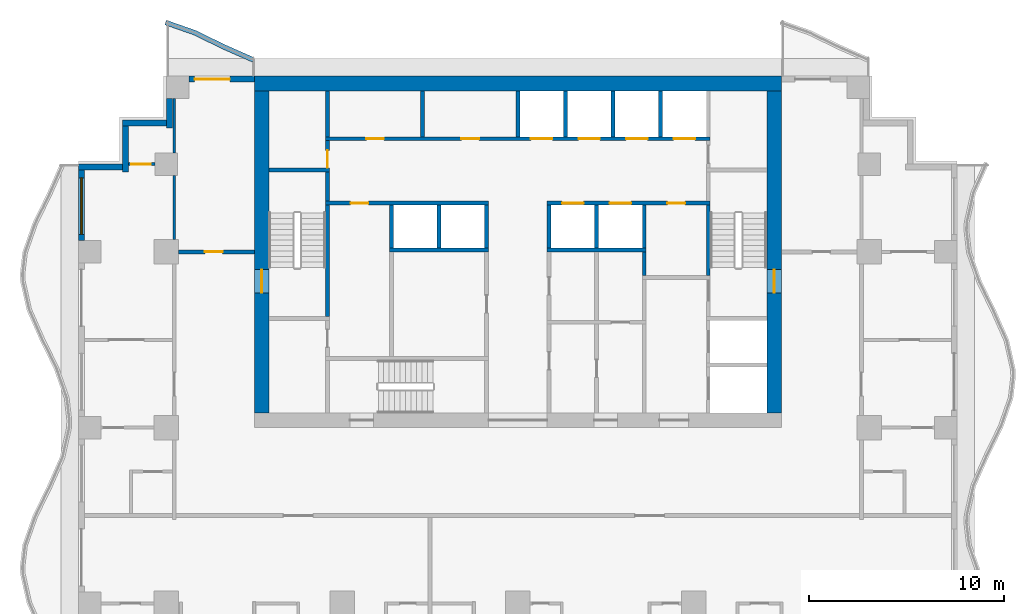
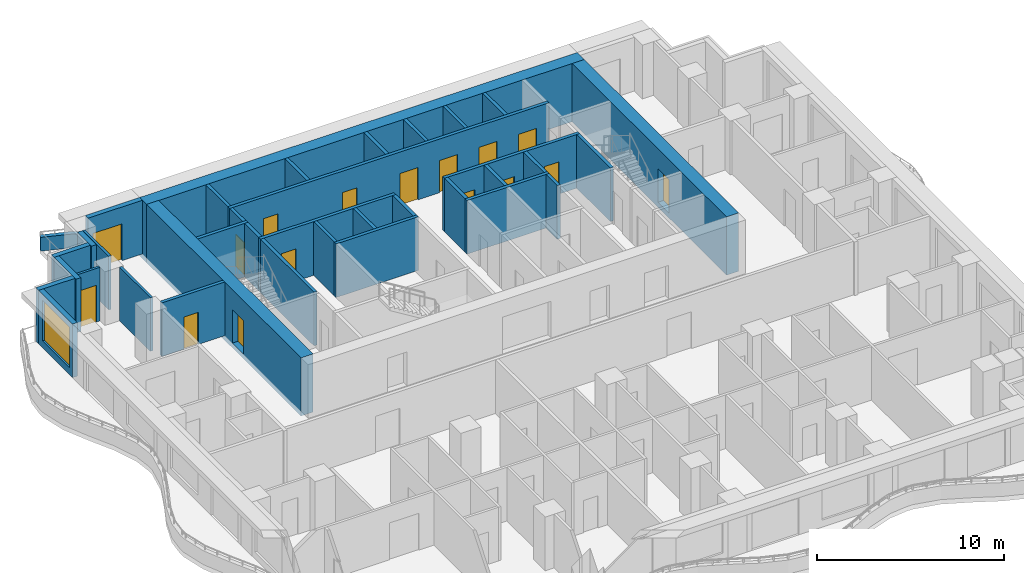
# One storey, part 5 of 10: 37 walls, 16 doors, 1 window, 17 openings.
"""IFC4 building model written with IfcOpenShell, lengths in metres."""

from ifc_helpers import new_model, si_unit, direction, frame, frame_2d, origin, place, context, subcontext, project, spatial, polyline, rectangle, outline, extrude, material, layer, layer_set, type_object, element, fill, save


model = new_model("IFC4")

# Units and contexts
model_context = context("Model", 3, precision=1e-05, world=origin(), true_north=direction((0.0, 1.0)))
body_context = subcontext(model_context, "Body", "Model", "MODEL_VIEW")
ifc_project = project(units=[si_unit("LENGTHUNIT", "METRE"), si_unit("AREAUNIT", "SQUARE_METRE"), si_unit("VOLUMEUNIT", "CUBIC_METRE"), si_unit("PLANEANGLEUNIT", "RADIAN"), si_unit("MASSUNIT", "GRAM", prefix="KILO")], contexts=[model_context])

# Site, building, storey
site_placement = place(None, origin())
site = spatial("IfcSite", under=ifc_project, at=site_placement, CompositionType="ELEMENT")
building_placement = place(site_placement, origin())
building = spatial("IfcBuilding", under=site, at=building_placement, Name="Orbiselva Terraces", CompositionType="ELEMENT")
storey_placement = place(building_placement, frame((0.0, 0.0, 140.2)))
storey = spatial("IfcBuildingStorey", under=building, at=storey_placement, Name="L35", CompositionType="ELEMENT", Elevation=140.2)

# Wall, opening, door
ifc_material_1 = material(Name="Concrete C80/95", Category="concrete")
ifc_layer_1 = layer(ifc_material_1, 0.75)
ifc_layer_set_1 = layer_set([ifc_layer_1], Name="Concrete C80/95")
wall_type_1 = type_object("IfcWallType", Name="CORE WALL 750", PredefinedType="SHEAR", material=ifc_layer_set_1)
wall_1_placement = place(storey_placement, frame((13.125, 5.25, -0.3), z_axis=(0.0, 0.0, 1.0), x_axis=(0.0, 1.0, 0.0)))
wall_1 = element("IfcWall", 1, at=wall_1_placement, inside=storey, type_object=wall_type_1, Name="Core wall L35 east", PredefinedType="SHEAR", context=body_context, shape_type="SweptSolid", body=[
    extrude(rectangle(XDim=16.5, YDim=0.75, at=frame_2d((8.25, 0.0))), origin(), (0.0, 0.0, 1.0), 3.8),
])
opening_1_placement = place(wall_1_placement, frame((6.15, 0.0, 0.3)))
opening_1 = element("IfcOpeningElement", 2, at=opening_1_placement, cuts=wall_1, Name="Opening DS1200", PredefinedType="OPENING", context=body_context, shape_type="SweptSolid", body=[
    extrude(rectangle(XDim=1.2, YDim=2.2, at=frame_2d((0.6, 1.1))), frame((0.0, 0.385, 0.0), z_axis=(0.0, -1.0, 0.0), x_axis=(1.0, 0.0, 0.0)), (0.0, 0.0, 1.0), 0.77),
])
ifc_material_2 = material(Name="Steel fire door", Category="steel")
door_type_1 = type_object("IfcDoorType", Name="STAIR DOOR 1200", OperationType="NOTDEFINED", PredefinedType="DOOR", material=ifc_material_2)
door_1_placement = place(opening_1_placement, frame((1.2, 0.0, 0.0), z_axis=(0.0, 0.0, 1.0), x_axis=(-1.0, 0.0, 0.0)))
door_1 = element("IfcDoor", 3, at=door_1_placement, inside=storey, type_object=door_type_1, Name="L35 EXIT STAIR S2 door", OperationType="SINGLE_SWING_LEFT", OverallHeight=2.2, OverallWidth=1.2, PredefinedType="DOOR", context=body_context, shape_type="SweptSolid", body=[
    extrude(rectangle(XDim=1.2, YDim=2.2, at=frame_2d((0.6, 1.1))), frame((0.0, 0.025, 0.0), z_axis=(0.0, -1.0, 0.0), x_axis=(1.0, 0.0, 0.0)), (0.0, 0.0, 1.0), 0.05),
])
fill(opening_1, door_1)

wall_2_placement = place(storey_placement, frame((-13.125, 21.75, -0.3), z_axis=(0.0, 0.0, 1.0), x_axis=(0.0, -1.0, 0.0)))
wall_2 = element("IfcWall", 4, at=wall_2_placement, inside=storey, type_object=wall_type_1, Name="Core wall L35 west", PredefinedType="SHEAR", context=body_context, shape_type="SweptSolid", body=[
    extrude(rectangle(XDim=16.5, YDim=0.75, at=frame_2d((8.25, 0.0))), origin(), (0.0, 0.0, 1.0), 3.8),
])
opening_2_placement = place(wall_2_placement, frame((9.15, 0.0, 0.3)))
opening_2 = element("IfcOpeningElement", 5, at=opening_2_placement, cuts=wall_2, Name="Opening DS1200", PredefinedType="OPENING", context=body_context, shape_type="SweptSolid", body=[
    extrude(rectangle(XDim=1.2, YDim=2.2, at=frame_2d((0.6, 1.1))), frame((0.0, 0.385, 0.0), z_axis=(0.0, -1.0, 0.0), x_axis=(1.0, 0.0, 0.0)), (0.0, 0.0, 1.0), 0.77),
])
door_2_placement = place(opening_2_placement, frame((1.2, 0.0, 0.0), z_axis=(0.0, 0.0, 1.0), x_axis=(-1.0, 0.0, 0.0)))
door_2 = element("IfcDoor", 6, at=door_2_placement, inside=storey, type_object=door_type_1, Name="L35 EXIT STAIR S1 door", OperationType="SINGLE_SWING_RIGHT", OverallHeight=2.2, OverallWidth=1.2, PredefinedType="DOOR", context=body_context, shape_type="SweptSolid", body=[
    extrude(rectangle(XDim=1.2, YDim=2.2, at=frame_2d((0.6, 1.1))), frame((0.0, 0.025, 0.0), z_axis=(0.0, -1.0, 0.0), x_axis=(1.0, 0.0, 0.0)), (0.0, 0.0, 1.0), 0.05),
])
fill(opening_2, door_2)

# Wall
ifc_layer_2 = layer(ifc_material_1, 0.75)
ifc_layer_set_2 = layer_set([ifc_layer_2], Name="Concrete C80/95")
wall_type_2 = type_object("IfcWallType", Name="CORE WALL 750 EXTERNAL", PredefinedType="SHEAR", material=ifc_layer_set_2)
wall_3_placement = place(storey_placement, frame((13.5, 22.125, -0.3), z_axis=(0.0, 0.0, 1.0), x_axis=(-1.0, 0.0, 0.0)))
element("IfcWall", 7, at=wall_3_placement, inside=storey, type_object=wall_type_2, Name="Core wall L35 north", PredefinedType="SHEAR", context=body_context, shape_type="SweptSolid", body=[
    extrude(rectangle(XDim=27.0, YDim=0.75, at=frame_2d((13.5, 0.0))), origin(), (0.0, 0.0, 1.0), 3.8),
])

# Wall, opening, door
ifc_material_3 = material(Name="Masonry blockwork", Category="masonry")
ifc_layer_3 = layer(ifc_material_3, 0.2)
ifc_layer_set_3 = layer_set([ifc_layer_3], Name="Masonry blockwork")
wall_type_3 = type_object("IfcWallType", Name="CORE-WALL-PARTITION-200", PredefinedType="PARTITIONING", material=ifc_layer_set_3)
wall_4_placement = place(storey_placement, frame((-9.75, 17.8, 0.0), z_axis=(0.0, 0.0, 1.0), x_axis=(0.0, 1.0, 0.0)))
wall_4 = element("IfcWall", 8, at=wall_4_placement, inside=storey, type_object=wall_type_3, Name="L35 core wall 09", PredefinedType="PARTITIONING", context=body_context, shape_type="SweptSolid", body=[
    extrude(rectangle(XDim=1.4, YDim=0.2, at=frame_2d((0.7, 0.0))), origin(), (0.0, 0.0, 1.0), 3.5),
])
opening_3_placement = place(wall_4_placement, origin())
opening_3 = element("IfcOpeningElement", 9, at=opening_3_placement, cuts=wall_4, Name="Opening DR900", PredefinedType="OPENING", context=body_context, shape_type="SweptSolid", body=[
    extrude(rectangle(XDim=0.9, YDim=2.1, at=frame_2d((0.45, 1.05))), frame((0.0, 0.11, 0.0), z_axis=(0.0, -1.0, 0.0), x_axis=(1.0, 0.0, 0.0)), (0.0, 0.0, 1.0), 0.22),
])
door_type_2 = type_object("IfcDoorType", Name="ROOM DOOR 900", OperationType="NOTDEFINED", PredefinedType="DOOR", material=ifc_material_2)
door_3_placement = place(opening_3_placement, origin())
door_3 = element("IfcDoor", 10, at=door_3_placement, inside=storey, type_object=door_type_2, Name="L35 COMMS RISER ROOM door", OperationType="SINGLE_SWING_LEFT", OverallHeight=2.1, OverallWidth=0.9, PredefinedType="DOOR", context=body_context, shape_type="SweptSolid", body=[
    extrude(rectangle(XDim=0.9, YDim=2.1, at=frame_2d((0.45, 1.05))), frame((0.0, 0.025, 0.0), z_axis=(0.0, -1.0, 0.0), x_axis=(1.0, 0.0, 0.0)), (0.0, 0.0, 1.0), 0.05),
])
fill(opening_3, door_3)

# Walls
for number, where, z_axis, x_axis, name in (
    (11, (-9.75, 19.4, 0.0), (0.0, 0.0, 1.0), (0.0, 1.0, 0.0), "L35 core wall 11"),
    (12, (-4.875, 19.4, 0.0), (0.0, 0.0, 1.0), (0.0, 1.0, 0.0), "L35 core wall 15"),
):
    element("IfcWall", number, at=place(storey_placement, frame(where, z_axis=z_axis, x_axis=x_axis)), inside=storey, type_object=wall_type_3, Name=name, PredefinedType="PARTITIONING", context=body_context, shape_type="SweptSolid", body=[
        extrude(rectangle(XDim=2.35, YDim=0.2, at=frame_2d((1.175, 0.0))), origin(), (0.0, 0.0, 1.0), 3.5),
    ])
wall_5_placement = place(storey_placement, frame((6.475, 12.3, 0.0), z_axis=(0.0, 0.0, 1.0), x_axis=(0.0, 1.0, 0.0)))
element("IfcWall", 13, at=wall_5_placement, inside=storey, type_object=wall_type_3, Name="L35 core wall 35", PredefinedType="PARTITIONING", context=body_context, shape_type="SweptSolid", body=[
    extrude(rectangle(XDim=1.2, YDim=0.2, at=frame_2d((0.6, 0.0))), origin(), (0.0, 0.0, 1.0), 3.5),
])
ifc_material_4 = material(Name="Concrete C40/50", Category="concrete")
ifc_layer_4 = layer(ifc_material_4, 0.2)
ifc_layer_set_4 = layer_set([ifc_layer_4], Name="Concrete C40/50")
wall_type_4 = type_object("IfcWallType", Name="CORE-WALL-SHAFT-200", PredefinedType="PARTITIONING", material=ifc_layer_set_4)
for number, where, z_axis, x_axis, name in (
    (14, (-6.475, 13.7, 0.0), (0.0, 0.0, 1.0), (0.0, 1.0, 0.0), "L35 core wall 14"),
    (15, (-4.0375, 13.7, 0.0), (0.0, 0.0, 1.0), (0.0, 1.0, 0.0), "L35 core wall 16"),
    (16, (-1.6, 13.7, 0.0), (0.0, 0.0, 1.0), (0.0, 1.0, 0.0), "L35 core wall 19"),
):
    element("IfcWall", number, at=place(storey_placement, frame(where, z_axis=z_axis, x_axis=x_axis)), inside=storey, type_object=wall_type_4, Name=name, PredefinedType="PARTITIONING", context=body_context, shape_type="SweptSolid", body=[
        extrude(rectangle(XDim=2.2, YDim=0.2, at=frame_2d((1.1, 0.0))), origin(), (0.0, 0.0, 1.0), 3.5),
    ])
wall_6_placement = place(storey_placement, frame((0.0, 19.4, 0.0), z_axis=(0.0, 0.0, 1.0), x_axis=(0.0, 1.0, 0.0)))
element("IfcWall", 17, at=wall_6_placement, inside=storey, type_object=wall_type_4, Name="L35 core wall 20", PredefinedType="PARTITIONING", context=body_context, shape_type="SweptSolid", body=[
    extrude(rectangle(XDim=2.35, YDim=0.2, at=frame_2d((1.175, 0.0))), origin(), (0.0, 0.0, 1.0), 3.5),
])
wall_7_placement = place(storey_placement, frame((1.6, 13.7, 0.0), z_axis=(0.0, 0.0, 1.0), x_axis=(0.0, 1.0, 0.0)))
element("IfcWall", 18, at=wall_7_placement, inside=storey, type_object=wall_type_4, Name="L35 core wall 25", PredefinedType="PARTITIONING", context=body_context, shape_type="SweptSolid", body=[
    extrude(rectangle(XDim=2.2, YDim=0.2, at=frame_2d((1.1, 0.0))), origin(), (0.0, 0.0, 1.0), 3.5),
])
wall_8_placement = place(storey_placement, frame((2.4375, 19.4, 0.0), z_axis=(0.0, 0.0, 1.0), x_axis=(0.0, 1.0, 0.0)))
element("IfcWall", 19, at=wall_8_placement, inside=storey, type_object=wall_type_4, Name="L35 core wall 27", PredefinedType="PARTITIONING", context=body_context, shape_type="SweptSolid", body=[
    extrude(rectangle(XDim=2.35, YDim=0.2, at=frame_2d((1.175, 0.0))), origin(), (0.0, 0.0, 1.0), 3.5),
])
wall_9_placement = place(storey_placement, frame((4.0375, 13.7, 0.0), z_axis=(0.0, 0.0, 1.0), x_axis=(0.0, 1.0, 0.0)))
element("IfcWall", 20, at=wall_9_placement, inside=storey, type_object=wall_type_4, Name="L35 core wall 30", PredefinedType="PARTITIONING", context=body_context, shape_type="SweptSolid", body=[
    extrude(rectangle(XDim=2.2, YDim=0.2, at=frame_2d((1.1, 0.0))), origin(), (0.0, 0.0, 1.0), 3.5),
])
wall_10_placement = place(storey_placement, frame((4.875, 19.4, 0.0), z_axis=(0.0, 0.0, 1.0), x_axis=(0.0, 1.0, 0.0)))
element("IfcWall", 21, at=wall_10_placement, inside=storey, type_object=wall_type_4, Name="L35 core wall 31", PredefinedType="PARTITIONING", context=body_context, shape_type="SweptSolid", body=[
    extrude(rectangle(XDim=2.35, YDim=0.2, at=frame_2d((1.175, 0.0))), origin(), (0.0, 0.0, 1.0), 3.5),
])
wall_11_placement = place(storey_placement, frame((6.475, 13.7, 0.0), z_axis=(0.0, 0.0, 1.0), x_axis=(0.0, 1.0, 0.0)))
element("IfcWall", 22, at=wall_11_placement, inside=storey, type_object=wall_type_4, Name="L35 core wall 36", PredefinedType="PARTITIONING", context=body_context, shape_type="SweptSolid", body=[
    extrude(rectangle(XDim=2.2, YDim=0.2, at=frame_2d((1.1, 0.0))), origin(), (0.0, 0.0, 1.0), 3.5),
])
wall_12_placement = place(storey_placement, frame((7.3125, 19.4, 0.0), z_axis=(0.0, 0.0, 1.0), x_axis=(0.0, 1.0, 0.0)))
element("IfcWall", 23, at=wall_12_placement, inside=storey, type_object=wall_type_4, Name="L35 core wall 37", PredefinedType="PARTITIONING", context=body_context, shape_type="SweptSolid", body=[
    extrude(rectangle(XDim=2.35, YDim=0.2, at=frame_2d((1.175, 0.0))), origin(), (0.0, 0.0, 1.0), 3.5),
])
ifc_material_5 = material(Name="Concrete C60/75", Category="concrete")
ifc_layer_5 = layer(ifc_material_5, 0.2)
ifc_layer_set_5 = layer_set([ifc_layer_5], Name="Concrete C60/75")
wall_type_5 = type_object("IfcWallType", Name="CORE-WALL-SHEAR-200", PredefinedType="SHEAR", material=ifc_layer_set_5)
wall_13_placement = place(storey_placement, frame((-12.75, 17.7, 0.0), z_axis=(0.0, 0.0, 1.0), x_axis=(1.0, 0.0, 0.0)))
element("IfcWall", 24, at=wall_13_placement, inside=storey, type_object=wall_type_5, Name="L35 core wall 02", PredefinedType="SHEAR", context=body_context, shape_type="SweptSolid", body=[
    extrude(rectangle(XDim=3.1, YDim=0.2, at=frame_2d((1.55, 0.0))), origin(), (0.0, 0.0, 1.0), 3.5),
])
wall_14_placement = place(storey_placement, frame((-9.75, 10.2, 0.0), z_axis=(0.0, 0.0, 1.0), x_axis=(0.0, 1.0, 0.0)))
element("IfcWall", 25, at=wall_14_placement, inside=storey, type_object=wall_type_5, Name="L35 core wall 06", PredefinedType="SHEAR", context=body_context, shape_type="SweptSolid", body=[
    extrude(rectangle(XDim=5.7, YDim=0.2, at=frame_2d((2.85, 0.0))), origin(), (0.0, 0.0, 1.0), 3.5),
])

# Wall, opening, door
wall_15_placement = place(storey_placement, frame((-1.5, 16.0, 0.0), z_axis=(0.0, 0.0, 1.0), x_axis=(-1.0, 0.0, 0.0)))
wall_15 = element("IfcWall", 26, at=wall_15_placement, inside=storey, type_object=wall_type_5, Name="L35 core wall 07", PredefinedType="SHEAR", context=body_context, shape_type="SweptSolid", body=[
    extrude(rectangle(XDim=8.35, YDim=0.2, at=frame_2d((4.175, 0.0))), origin(), (0.0, 0.0, 1.0), 3.5),
])
opening_4_placement = place(wall_15_placement, frame((6.1625, 0.0, 0.0)))
opening_4 = element("IfcOpeningElement", 27, at=opening_4_placement, cuts=wall_15, Name="Opening DR900", PredefinedType="OPENING", context=body_context, shape_type="SweptSolid", body=[
    extrude(rectangle(XDim=0.9, YDim=2.1, at=frame_2d((0.45, 1.05))), frame((0.0, 0.11, 0.0), z_axis=(0.0, -1.0, 0.0), x_axis=(1.0, 0.0, 0.0)), (0.0, 0.0, 1.0), 0.22),
])
door_4_placement = place(opening_4_placement, origin())
door_4 = element("IfcDoor", 28, at=door_4_placement, inside=storey, type_object=door_type_2, Name="L35 STAFF PANTRY door", OperationType="SINGLE_SWING_RIGHT", OverallHeight=2.1, OverallWidth=0.9, PredefinedType="DOOR", context=body_context, shape_type="SweptSolid", body=[
    extrude(rectangle(XDim=0.9, YDim=2.1, at=frame_2d((0.45, 1.05))), frame((0.0, 0.025, 0.0), z_axis=(0.0, -1.0, 0.0), x_axis=(1.0, 0.0, 0.0)), (0.0, 0.0, 1.0), 0.05),
])
fill(opening_4, door_4)

# Wall
wall_16_placement = place(storey_placement, frame((-9.75, 16.1, 0.0), z_axis=(0.0, 0.0, 1.0), x_axis=(0.0, 1.0, 0.0)))
element("IfcWall", 29, at=wall_16_placement, inside=storey, type_object=wall_type_5, Name="L35 core wall 08", PredefinedType="SHEAR", context=body_context, shape_type="SweptSolid", body=[
    extrude(rectangle(XDim=1.5, YDim=0.2, at=frame_2d((0.75, 0.0))), origin(), (0.0, 0.0, 1.0), 3.5),
])

# Wall, openings, doors
wall_17_placement = place(storey_placement, frame((-9.85, 19.3, 0.0), z_axis=(0.0, 0.0, 1.0), x_axis=(1.0, 0.0, 0.0)))
wall_17 = element("IfcWall", 30, at=wall_17_placement, inside=storey, type_object=wall_type_5, Name="L35 core wall 10", PredefinedType="SHEAR", context=body_context, shape_type="SweptSolid", body=[
    extrude(rectangle(XDim=19.7, YDim=0.2, at=frame_2d((9.85, 0.0))), origin(), (0.0, 0.0, 1.0), 3.5),
])
opening_5_placement = place(wall_17_placement, frame((10.51875, 0.0, 0.0)))
opening_5 = element("IfcOpeningElement", 31, at=opening_5_placement, cuts=wall_17, Name="Opening LD-HR1", PredefinedType="OPENING", context=body_context, shape_type="SweptSolid", body=[
    extrude(rectangle(XDim=1.1, YDim=2.1, at=frame_2d((0.55, 1.05))), frame((0.0, 0.11, 0.0), z_axis=(0.0, -1.0, 0.0), x_axis=(1.0, 0.0, 0.0)), (0.0, 0.0, 1.0), 0.22),
])
opening_6_placement = place(wall_17_placement, frame((12.95625, 0.0, 0.0)))
opening_6 = element("IfcOpeningElement", 32, at=opening_6_placement, cuts=wall_17, Name="Opening LD-HR2", PredefinedType="OPENING", context=body_context, shape_type="SweptSolid", body=[
    extrude(rectangle(XDim=1.1, YDim=2.1, at=frame_2d((0.55, 1.05))), frame((0.0, 0.11, 0.0), z_axis=(0.0, -1.0, 0.0), x_axis=(1.0, 0.0, 0.0)), (0.0, 0.0, 1.0), 0.22),
])
opening_7_placement = place(wall_17_placement, frame((15.39375, 0.0, 0.0)))
opening_7 = element("IfcOpeningElement", 33, at=opening_7_placement, cuts=wall_17, Name="Opening LD-HR3", PredefinedType="OPENING", context=body_context, shape_type="SweptSolid", body=[
    extrude(rectangle(XDim=1.1, YDim=2.1, at=frame_2d((0.55, 1.05))), frame((0.0, 0.11, 0.0), z_axis=(0.0, -1.0, 0.0), x_axis=(1.0, 0.0, 0.0)), (0.0, 0.0, 1.0), 0.22),
])
opening_8_placement = place(wall_17_placement, frame((17.83125, 0.0, 0.0)))
opening_8 = element("IfcOpeningElement", 34, at=opening_8_placement, cuts=wall_17, Name="Opening LD-HR4", PredefinedType="OPENING", context=body_context, shape_type="SweptSolid", body=[
    extrude(rectangle(XDim=1.1, YDim=2.1, at=frame_2d((0.55, 1.05))), frame((0.0, 0.11, 0.0), z_axis=(0.0, -1.0, 0.0), x_axis=(1.0, 0.0, 0.0)), (0.0, 0.0, 1.0), 0.22),
])
opening_9_placement = place(wall_17_placement, frame((2.0875, 0.0, 0.0)))
opening_9 = element("IfcOpeningElement", 35, at=opening_9_placement, cuts=wall_17, Name="Opening DR900", PredefinedType="OPENING", context=body_context, shape_type="SweptSolid", body=[
    extrude(rectangle(XDim=0.9, YDim=2.1, at=frame_2d((0.45, 1.05))), frame((0.0, 0.11, 0.0), z_axis=(0.0, -1.0, 0.0), x_axis=(1.0, 0.0, 0.0)), (0.0, 0.0, 1.0), 0.22),
])
opening_10_placement = place(wall_17_placement, frame((6.9625, 0.0, 0.0)))
opening_10 = element("IfcOpeningElement", 36, at=opening_10_placement, cuts=wall_17, Name="Opening DR900", PredefinedType="OPENING", context=body_context, shape_type="SweptSolid", body=[
    extrude(rectangle(XDim=0.9, YDim=2.1, at=frame_2d((0.45, 1.05))), frame((0.0, 0.11, 0.0), z_axis=(0.0, -1.0, 0.0), x_axis=(1.0, 0.0, 0.0)), (0.0, 0.0, 1.0), 0.22),
])
ifc_material_6 = material(Name="Stainless steel landing door", Category="steel")
door_type_3 = type_object("IfcDoorType", Name="LANDING DOOR 1100", OperationType="SLIDING_TO_LEFT", PredefinedType="DOOR", material=ifc_material_6)
door_5_placement = place(opening_5_placement, origin())
door_5 = element("IfcDoor", 37, at=door_5_placement, inside=storey, type_object=door_type_3, Name="L35 landing door HR1", OperationType="SLIDING_TO_RIGHT", OverallHeight=2.1, OverallWidth=1.1, PredefinedType="DOOR", context=body_context, shape_type="SweptSolid", body=[
    extrude(rectangle(XDim=1.1, YDim=2.1, at=frame_2d((0.55, 1.05))), frame((0.0, 0.025, 0.0), z_axis=(0.0, -1.0, 0.0), x_axis=(1.0, 0.0, 0.0)), (0.0, 0.0, 1.0), 0.05),
])
fill(opening_5, door_5)
door_6_placement = place(opening_6_placement, origin())
door_6 = element("IfcDoor", 38, at=door_6_placement, inside=storey, type_object=door_type_3, Name="L35 landing door HR2", OperationType="SLIDING_TO_RIGHT", OverallHeight=2.1, OverallWidth=1.1, PredefinedType="DOOR", context=body_context, shape_type="SweptSolid", body=[
    extrude(rectangle(XDim=1.1, YDim=2.1, at=frame_2d((0.55, 1.05))), frame((0.0, 0.025, 0.0), z_axis=(0.0, -1.0, 0.0), x_axis=(1.0, 0.0, 0.0)), (0.0, 0.0, 1.0), 0.05),
])
fill(opening_6, door_6)
door_7_placement = place(opening_7_placement, origin())
door_7 = element("IfcDoor", 39, at=door_7_placement, inside=storey, type_object=door_type_3, Name="L35 landing door HR3", OperationType="SLIDING_TO_RIGHT", OverallHeight=2.1, OverallWidth=1.1, PredefinedType="DOOR", context=body_context, shape_type="SweptSolid", body=[
    extrude(rectangle(XDim=1.1, YDim=2.1, at=frame_2d((0.55, 1.05))), frame((0.0, 0.025, 0.0), z_axis=(0.0, -1.0, 0.0), x_axis=(1.0, 0.0, 0.0)), (0.0, 0.0, 1.0), 0.05),
])
fill(opening_7, door_7)
door_8_placement = place(opening_8_placement, origin())
door_8 = element("IfcDoor", 40, at=door_8_placement, inside=storey, type_object=door_type_3, Name="L35 landing door HR4", OperationType="SLIDING_TO_RIGHT", OverallHeight=2.1, OverallWidth=1.1, PredefinedType="DOOR", context=body_context, shape_type="SweptSolid", body=[
    extrude(rectangle(XDim=1.1, YDim=2.1, at=frame_2d((0.55, 1.05))), frame((0.0, 0.025, 0.0), z_axis=(0.0, -1.0, 0.0), x_axis=(1.0, 0.0, 0.0)), (0.0, 0.0, 1.0), 0.05),
])
fill(opening_8, door_8)
door_9_placement = place(opening_9_placement, origin())
door_9 = element("IfcDoor", 41, at=door_9_placement, inside=storey, type_object=door_type_2, Name="L35 PANTRY door", OperationType="SINGLE_SWING_LEFT", OverallHeight=2.1, OverallWidth=0.9, PredefinedType="DOOR", context=body_context, shape_type="SweptSolid", body=[
    extrude(rectangle(XDim=0.9, YDim=2.1, at=frame_2d((0.45, 1.05))), frame((0.0, 0.025, 0.0), z_axis=(0.0, -1.0, 0.0), x_axis=(1.0, 0.0, 0.0)), (0.0, 0.0, 1.0), 0.05),
])
fill(opening_9, door_9)
door_10_placement = place(opening_10_placement, origin())
door_10 = element("IfcDoor", 42, at=door_10_placement, inside=storey, type_object=door_type_2, Name="L35 STAFF LOUNGE door", OperationType="SINGLE_SWING_LEFT", OverallHeight=2.1, OverallWidth=0.9, PredefinedType="DOOR", context=body_context, shape_type="SweptSolid", body=[
    extrude(rectangle(XDim=0.9, YDim=2.1, at=frame_2d((0.45, 1.05))), frame((0.0, 0.025, 0.0), z_axis=(0.0, -1.0, 0.0), x_axis=(1.0, 0.0, 0.0)), (0.0, 0.0, 1.0), 0.05),
])
fill(opening_10, door_10)

# Walls
for number, where, z_axis, x_axis, name in (
    (43, (-6.575, 13.6, 0.0), (0.0, 0.0, 1.0), (1.0, 0.0, 0.0), "L35 core wall 13"),
    (44, (1.5, 13.6, 0.0), (0.0, 0.0, 1.0), (1.0, 0.0, 0.0), "L35 core wall 24"),
):
    element("IfcWall", number, at=place(storey_placement, frame(where, z_axis=z_axis, x_axis=x_axis)), inside=storey, type_object=wall_type_5, Name=name, PredefinedType="SHEAR", context=body_context, shape_type="SweptSolid", body=[
        extrude(rectangle(XDim=5.075, YDim=0.2, at=frame_2d((2.5375, 0.0))), origin(), (0.0, 0.0, 1.0), 3.5),
    ])

# Wall, openings, doors
wall_18_placement = place(storey_placement, frame((9.85, 16.0, 0.0), z_axis=(0.0, 0.0, 1.0), x_axis=(-1.0, 0.0, 0.0)))
wall_18 = element("IfcWall", 45, at=wall_18_placement, inside=storey, type_object=wall_type_5, Name="L35 core wall 26", PredefinedType="SHEAR", context=body_context, shape_type="SweptSolid", body=[
    extrude(rectangle(XDim=8.35, YDim=0.2, at=frame_2d((4.175, 0.0))), origin(), (0.0, 0.0, 1.0), 3.5),
])
opening_11_placement = place(wall_18_placement, frame((6.48125, 0.0, 0.0)))
opening_11 = element("IfcOpeningElement", 46, at=opening_11_placement, cuts=wall_18, Name="Opening LD-HR5", PredefinedType="OPENING", context=body_context, shape_type="SweptSolid", body=[
    extrude(rectangle(XDim=1.1, YDim=2.1, at=frame_2d((0.55, 1.05))), frame((0.0, 0.11, 0.0), z_axis=(0.0, -1.0, 0.0), x_axis=(1.0, 0.0, 0.0)), (0.0, 0.0, 1.0), 0.22),
])
opening_12_placement = place(wall_18_placement, frame((4.04375, 0.0, 0.0)))
opening_12 = element("IfcOpeningElement", 47, at=opening_12_placement, cuts=wall_18, Name="Opening LD-HR6", PredefinedType="OPENING", context=body_context, shape_type="SweptSolid", body=[
    extrude(rectangle(XDim=1.1, YDim=2.1, at=frame_2d((0.55, 1.05))), frame((0.0, 0.11, 0.0), z_axis=(0.0, -1.0, 0.0), x_axis=(1.0, 0.0, 0.0)), (0.0, 0.0, 1.0), 0.22),
])
opening_13_placement = place(wall_18_placement, frame((1.2875, 0.0, 0.0)))
opening_13 = element("IfcOpeningElement", 48, at=opening_13_placement, cuts=wall_18, Name="Opening DR900", PredefinedType="OPENING", context=body_context, shape_type="SweptSolid", body=[
    extrude(rectangle(XDim=0.9, YDim=2.1, at=frame_2d((0.45, 1.05))), frame((0.0, 0.11, 0.0), z_axis=(0.0, -1.0, 0.0), x_axis=(1.0, 0.0, 0.0)), (0.0, 0.0, 1.0), 0.22),
])
door_11_placement = place(opening_11_placement, origin())
door_11 = element("IfcDoor", 49, at=door_11_placement, inside=storey, type_object=door_type_3, Name="L35 landing door HR5", OperationType="SLIDING_TO_RIGHT", OverallHeight=2.1, OverallWidth=1.1, PredefinedType="DOOR", context=body_context, shape_type="SweptSolid", body=[
    extrude(rectangle(XDim=1.1, YDim=2.1, at=frame_2d((0.55, 1.05))), frame((0.0, 0.025, 0.0), z_axis=(0.0, -1.0, 0.0), x_axis=(1.0, 0.0, 0.0)), (0.0, 0.0, 1.0), 0.05),
])
fill(opening_11, door_11)
door_12_placement = place(opening_12_placement, origin())
door_12 = element("IfcDoor", 50, at=door_12_placement, inside=storey, type_object=door_type_3, Name="L35 landing door HR6", OperationType="SLIDING_TO_RIGHT", OverallHeight=2.1, OverallWidth=1.1, PredefinedType="DOOR", context=body_context, shape_type="SweptSolid", body=[
    extrude(rectangle(XDim=1.1, YDim=2.1, at=frame_2d((0.55, 1.05))), frame((0.0, 0.025, 0.0), z_axis=(0.0, -1.0, 0.0), x_axis=(1.0, 0.0, 0.0)), (0.0, 0.0, 1.0), 0.05),
])
fill(opening_12, door_12)
door_13_placement = place(opening_13_placement, origin())
door_13 = element("IfcDoor", 51, at=door_13_placement, inside=storey, type_object=door_type_2, Name="L35 PIPE RISER ROOM door", OperationType="SINGLE_SWING_LEFT", OverallHeight=2.1, OverallWidth=0.9, PredefinedType="DOOR", context=body_context, shape_type="SweptSolid", body=[
    extrude(rectangle(XDim=0.9, YDim=2.1, at=frame_2d((0.45, 1.05))), frame((0.0, 0.025, 0.0), z_axis=(0.0, -1.0, 0.0), x_axis=(1.0, 0.0, 0.0)), (0.0, 0.0, 1.0), 0.05),
])
fill(opening_13, door_13)

# Walls
wall_19_placement = place(storey_placement, frame((9.75, 12.3, 0.0), z_axis=(0.0, 0.0, 1.0), x_axis=(0.0, 1.0, 0.0)))
element("IfcWall", 52, at=wall_19_placement, inside=storey, type_object=wall_type_5, Name="L35 core wall 43", PredefinedType="SHEAR", context=body_context, shape_type="SweptSolid", body=[
    extrude(rectangle(XDim=3.6, YDim=0.2, at=frame_2d((1.8, 0.0))), origin(), (0.0, 0.0, 1.0), 3.5),
])
ifc_layer_6 = layer(ifc_material_4, 0.25)
ifc_layer_set_6 = layer_set([ifc_layer_6], Name="Concrete C40/50")
wall_type_6 = type_object("IfcWallType", Name="ENV-PLANTER-250x900", PredefinedType="USERDEFINED", material=ifc_layer_set_6)
wall_20_placement = place(storey_placement, origin())
element("IfcWall", 53, at=wall_20_placement, inside=storey, type_object=wall_type_6, Name="Balcony planter L35 NW", ObjectType="PLANTER", PredefinedType="USERDEFINED", context=body_context, shape_type="SweptSolid", body=[
    extrude(outline(polyline([(-13.5, 23.451472), (-15.0, 24.112279), (-16.5, 24.844789), (-18.0, 25.369208), (-18.082506, 25.133215), (-16.59644, 24.613667), (-15.105286, 23.885477), (-13.600788, 23.222689), (-13.5, 23.451472)])), origin(), (0.0, 0.0, 1.0), 0.9),
])

# Wall, opening, door
ifc_material_7 = material(Name="Terracotta cladding on masonry backing", Category="masonry")
ifc_layer_7 = layer(ifc_material_7, 0.3)
ifc_layer_set_7 = layer_set([ifc_layer_7], Name="Terracotta cladding on masonry backing")
wall_type_7 = type_object("IfcWallType", Name="ENV-WALL-TERRACOTTA-300", PredefinedType="SOLIDWALL", material=ifc_layer_set_7)
wall_21_placement = place(storey_placement, frame((-16.85, 22.35, 0.0), z_axis=(0.0, 0.0, 1.0), x_axis=(1.0, 0.0, 0.0)))
wall_21 = element("IfcWall", 54, at=wall_21_placement, inside=storey, type_object=wall_type_7, Name="Facade wall L35 NW", PredefinedType="SOLIDWALL", context=body_context, shape_type="SweptSolid", body=[
    extrude(rectangle(XDim=3.35, YDim=0.3, at=frame_2d((1.675, 0.0))), origin(), (0.0, 0.0, 1.0), 3.5),
])
opening_14_placement = place(wall_21_placement, frame((0.3, 0.0, 0.0)))
opening_14 = element("IfcOpeningElement", 55, at=opening_14_placement, cuts=wall_21, Name="Opening Z3-B-E14", PredefinedType="OPENING", context=body_context, shape_type="SweptSolid", body=[
    extrude(rectangle(XDim=1.8, YDim=2.4, at=frame_2d((0.9, 1.2))), frame((0.0, 0.16, 0.0), z_axis=(0.0, -1.0, 0.0), x_axis=(1.0, 0.0, 0.0)), (0.0, 0.0, 1.0), 0.32),
])
ifc_material_8 = material(Name="Clear low-e glazing in aluminium frame", Category="aluminium")
door_type_4 = type_object("IfcDoorType", Name="BALCONY DOOR 1800 X 2400", OperationType="DOUBLE_DOOR_SLIDING", PredefinedType="DOOR", material=ifc_material_8)
door_14_placement = place(opening_14_placement, origin())
door_14 = element("IfcDoor", 56, at=door_14_placement, inside=storey, type_object=door_type_4, Name="Z3-B-E14", OperationType="SINGLE_SWING_LEFT", OverallHeight=2.4, OverallWidth=1.8, PredefinedType="DOOR", context=body_context, shape_type="SweptSolid", body=[
    extrude(rectangle(XDim=1.8, YDim=2.4, at=frame_2d((0.9, 1.2))), frame((0.0, 0.025, 0.0), z_axis=(0.0, -1.0, 0.0), x_axis=(1.0, 0.0, 0.0)), (0.0, 0.0, 1.0), 0.05),
])
fill(opening_14, door_14)

# Walls
wall_22_placement = place(storey_placement, frame((-17.85, 19.85, 0.0), z_axis=(0.0, 0.0, 1.0), x_axis=(0.0, 1.0, 0.0)))
element("IfcWall", 57, at=wall_22_placement, inside=storey, type_object=wall_type_7, Name="Facade wall L35 STEP", PredefinedType="SOLIDWALL", context=body_context, shape_type="SweptSolid", body=[
    extrude(rectangle(XDim=1.5, YDim=0.3, at=frame_2d((0.75, 0.0))), origin(), (0.0, 0.0, 1.0), 3.5),
])
wall_23_placement = place(storey_placement, frame((-20.25, 20.1, 0.0), z_axis=(0.0, 0.0, 1.0), x_axis=(1.0, 0.0, 0.0)))
element("IfcWall", 58, at=wall_23_placement, inside=storey, type_object=wall_type_7, Name="Facade wall L35 STEP", PredefinedType="SOLIDWALL", context=body_context, shape_type="SweptSolid", body=[
    extrude(rectangle(XDim=2.25, YDim=0.3, at=frame_2d((1.125, 0.0))), origin(), (0.0, 0.0, 1.0), 3.5),
])
wall_24_placement = place(storey_placement, frame((-20.1, 17.6, 0.0), z_axis=(0.0, 0.0, 1.0), x_axis=(0.0, 1.0, 0.0)))
element("IfcWall", 59, at=wall_24_placement, inside=storey, type_object=wall_type_7, Name="Facade wall L35 STEP", PredefinedType="SOLIDWALL", context=body_context, shape_type="SweptSolid", body=[
    extrude(rectangle(XDim=2.35, YDim=0.3, at=frame_2d((1.175, 0.0))), origin(), (0.0, 0.0, 1.0), 3.5),
])
wall_25_placement = place(storey_placement, frame((-22.5, 17.85, 0.0), z_axis=(0.0, 0.0, 1.0), x_axis=(1.0, 0.0, 0.0)))
element("IfcWall", 60, at=wall_25_placement, inside=storey, type_object=wall_type_7, Name="Facade wall L35 STEP", PredefinedType="SOLIDWALL", context=body_context, shape_type="SweptSolid", body=[
    extrude(rectangle(XDim=2.25, YDim=0.3, at=frame_2d((1.125, 0.0))), origin(), (0.0, 0.0, 1.0), 3.5),
])

# Wall, opening, window
wall_26_placement = place(storey_placement, frame((-22.35, 14.075, 0.0), z_axis=(0.0, 0.0, 1.0), x_axis=(0.0, 1.0, 0.0)))
wall_26 = element("IfcWall", 61, at=wall_26_placement, inside=storey, type_object=wall_type_7, Name="Facade wall L35 W", PredefinedType="SOLIDWALL", context=body_context, shape_type="SweptSolid", body=[
    extrude(rectangle(XDim=3.625, YDim=0.3, at=frame_2d((1.8125, 0.0))), origin(), (0.0, 0.0, 1.0), 3.5),
])
opening_15_placement = place(wall_26_placement, frame((0.325, 0.0, 0.45)))
opening_15 = element("IfcOpeningElement", 62, at=opening_15_placement, cuts=wall_26, Name="Opening WN8", PredefinedType="OPENING", context=body_context, shape_type="SweptSolid", body=[
    extrude(rectangle(XDim=2.9, YDim=2.65, at=frame_2d((1.45, 1.325))), frame((0.0, 0.16, 0.0), z_axis=(0.0, -1.0, 0.0), x_axis=(1.0, 0.0, 0.0)), (0.0, 0.0, 1.0), 0.32),
])
window_type = type_object("IfcWindowType", Name="WINDOW 2900 X 2650 S450", PartitioningType="TRIPLE_PANEL_VERTICAL", PredefinedType="WINDOW", material=ifc_material_8)
window_placement = place(opening_15_placement, origin())
window = element("IfcWindow", 63, at=window_placement, inside=storey, type_object=window_type, Name="Window L35 W", OverallHeight=2.65, OverallWidth=2.9, PartitioningType="SINGLE_PANEL", PredefinedType="WINDOW", context=body_context, shape_type="SweptSolid", body=[
    extrude(rectangle(XDim=2.9, YDim=2.65, at=frame_2d((1.45, 1.325))), frame((0.0, 0.03, 0.0), z_axis=(0.0, -1.0, 0.0), x_axis=(1.0, 0.0, 0.0)), (0.0, 0.0, 1.0), 0.06),
])
fill(opening_15, window)

# Wall, opening, door
ifc_material_9 = material(Name="Plasterboard on steel stud partition", Category="steel")
ifc_layer_8 = layer(ifc_material_9, 0.2)
ifc_layer_set_8 = layer_set([ifc_layer_8], Name="Plasterboard on steel stud partition")
wall_type_8 = type_object("IfcWallType", Name="UNIT-ENTRANCE-WALL-200", PredefinedType="PARTITIONING", material=ifc_layer_set_8)
wall_27_placement = place(storey_placement, frame((-17.375, 13.5, 0.0), z_axis=(0.0, 0.0, 1.0), x_axis=(1.0, 0.0, 0.0)))
wall_27 = element("IfcWall", 64, at=wall_27_placement, inside=storey, type_object=wall_type_8, Name="PARTITION L35-036", PredefinedType="PARTITIONING", context=body_context, shape_type="SweptSolid", body=[
    extrude(rectangle(XDim=3.875, YDim=0.2, at=frame_2d((1.9375, 0.0))), origin(), (0.0, 0.0, 1.0), 3.5),
])
opening_16_placement = place(wall_27_placement, frame((1.35, 0.0, 0.0)))
opening_16 = element("IfcOpeningElement", 65, at=opening_16_placement, cuts=wall_27, Name="Opening Z3-B-01", PredefinedType="OPENING", context=body_context, shape_type="SweptSolid", body=[
    extrude(rectangle(XDim=0.9, YDim=2.1, at=frame_2d((0.45, 1.05))), frame((0.0, 0.11, 0.0), z_axis=(0.0, -1.0, 0.0), x_axis=(1.0, 0.0, 0.0)), (0.0, 0.0, 1.0), 0.22),
])
ifc_material_10 = material(Name="Painted timber door leaf", Category="wood")
door_type_5 = type_object("IfcDoorType", Name="SERVICE DOOR 900", OperationType="NOTDEFINED", PredefinedType="DOOR", material=ifc_material_10)
door_15_placement = place(opening_16_placement, origin())
door_15 = element("IfcDoor", 66, at=door_15_placement, inside=storey, type_object=door_type_5, Name="Z3-B-01", OperationType="SINGLE_SWING_LEFT", OverallHeight=2.1, OverallWidth=0.9, PredefinedType="DOOR", context=body_context, shape_type="SweptSolid", body=[
    extrude(rectangle(XDim=0.9, YDim=2.1, at=frame_2d((0.45, 1.05))), frame((0.0, 0.025, 0.0), z_axis=(0.0, -1.0, 0.0), x_axis=(1.0, 0.0, 0.0)), (0.0, 0.0, 1.0), 0.05),
])
fill(opening_16, door_15)

ifc_layer_9 = layer(ifc_material_9, 0.15)
ifc_layer_set_9 = layer_set([ifc_layer_9], Name="Plasterboard on steel stud partition")
wall_type_9 = type_object("IfcWallType", Name="UNIT-PARTITION-150", PredefinedType="PARTITIONING", material=ifc_layer_set_9)
wall_28_placement = place(storey_placement, frame((-19.95, 18.0, 0.0), z_axis=(0.0, 0.0, 1.0), x_axis=(1.0, 0.0, 0.0)))
wall_28 = element("IfcWall", 67, at=wall_28_placement, inside=storey, type_object=wall_type_9, Name="PARTITION L35-039", PredefinedType="PARTITIONING", context=body_context, shape_type="SweptSolid", body=[
    extrude(rectangle(XDim=1.375, YDim=0.15, at=frame_2d((0.6875, 0.0))), origin(), (0.0, 0.0, 1.0), 3.5),
])
opening_17_placement = place(wall_28_placement, frame((0.15, 0.0, 0.0)))
opening_17 = element("IfcOpeningElement", 68, at=opening_17_placement, cuts=wall_28, Name="Opening Z3-B-07", PredefinedType="OPENING", context=body_context, shape_type="SweptSolid", body=[
    extrude(rectangle(XDim=1.0, YDim=2.4, at=frame_2d((0.5, 1.2))), frame((0.0, 0.085, 0.0), z_axis=(0.0, -1.0, 0.0), x_axis=(1.0, 0.0, 0.0)), (0.0, 0.0, 1.0), 0.17),
])
door_type_6 = type_object("IfcDoorType", Name="ROOM DOOR 1000", OperationType="NOTDEFINED", PredefinedType="DOOR", material=ifc_material_10)
door_16_placement = place(opening_17_placement, origin())
door_16 = element("IfcDoor", 69, at=door_16_placement, inside=storey, type_object=door_type_6, Name="Z3-B-07", OperationType="SINGLE_SWING_LEFT", OverallHeight=2.4, OverallWidth=1.0, PredefinedType="DOOR", context=body_context, shape_type="SweptSolid", body=[
    extrude(rectangle(XDim=1.0, YDim=2.4, at=frame_2d((0.5, 1.2))), frame((0.0, 0.025, 0.0), z_axis=(0.0, -1.0, 0.0), x_axis=(1.0, 0.0, 0.0)), (0.0, 0.0, 1.0), 0.05),
])
fill(opening_17, door_16)

# Walls
wall_29_placement = place(storey_placement, frame((-17.6, 14.125, 0.0), z_axis=(0.0, 0.0, 1.0), x_axis=(0.0, 1.0, 0.0)))
element("IfcWall", 70, at=wall_29_placement, inside=storey, type_object=wall_type_9, Name="PARTITION L35-044", PredefinedType="PARTITIONING", context=body_context, shape_type="SweptSolid", body=[
    extrude(rectangle(XDim=3.3, YDim=0.15, at=frame_2d((1.65, 0.0))), origin(), (0.0, 0.0, 1.0), 3.5),
])
wall_30_placement = place(storey_placement, frame((-17.6, 18.575, 0.0), z_axis=(0.0, 0.0, 1.0), x_axis=(0.0, 1.0, 0.0)))
element("IfcWall", 71, at=wall_30_placement, inside=storey, type_object=wall_type_9, Name="PARTITION L35-045", PredefinedType="PARTITIONING", context=body_context, shape_type="SweptSolid", body=[
    extrude(rectangle(XDim=2.775, YDim=0.15, at=frame_2d((1.3875, 0.0))), origin(), (0.0, 0.0, 1.0), 3.5),
])

save(model, "model.ifc")
